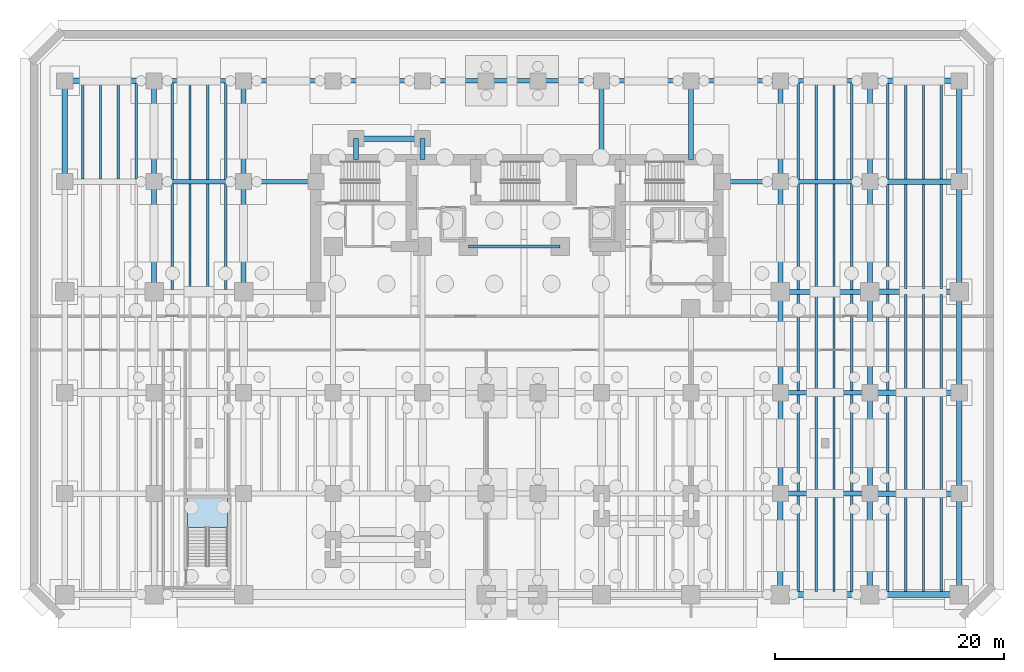
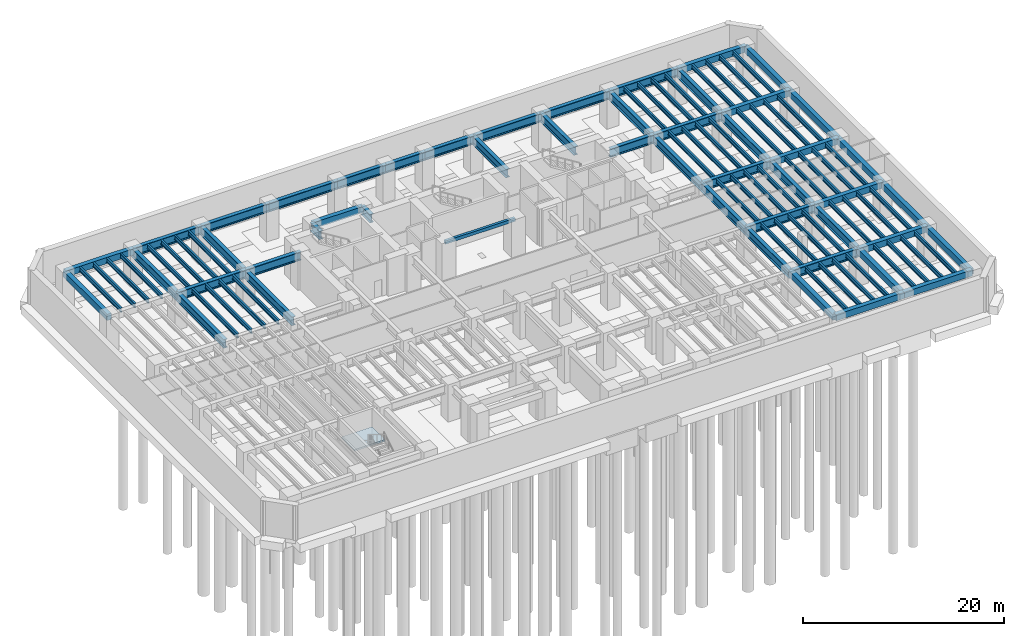
# One storey, part 5 of 13: 102 beams, 1 slab, 1 element without a shape of its own.
"""IFC4 building model written with IfcOpenShell, lengths in metres."""

from ifc_helpers import new_model, si_unit, direction, frame, origin, origin_2d, place, context, subcontext, project, spatial, polyline, rectangle, i_section, outline, extrude, material, layer, layer_set, material_profile, profile_set, type_object, element, aggregate, save


model = new_model("IFC4")

# Units and contexts
model_context = context("Model", 3, precision=1e-05, world=origin(), true_north=direction((0.0, 1.0)))
body_context = subcontext(model_context, "Body", "Model", "MODEL_VIEW")
ifc_project = project(units=[si_unit("LENGTHUNIT", "METRE"), si_unit("AREAUNIT", "SQUARE_METRE"), si_unit("VOLUMEUNIT", "CUBIC_METRE"), si_unit("PLANEANGLEUNIT", "RADIAN"), si_unit("MASSUNIT", "GRAM", prefix="KILO")], contexts=[model_context])

# Site, building, storey
site_placement = place(None, origin())
site = spatial("IfcSite", under=ifc_project, at=site_placement, CompositionType="ELEMENT")
building_placement = place(site_placement, origin())
building = spatial("IfcBuilding", under=site, at=building_placement, Name="Kestravale Grand Hotel", CompositionType="ELEMENT")
storey_placement = place(building_placement, frame((0.0, 0.0, -9.0)))
storey = spatial("IfcBuildingStorey", under=building, at=storey_placement, Name="B2", CompositionType="ELEMENT", Elevation=-9.0)

# Beams
ifc_material_1 = material(Name="Steel ASTM A992 Grade 50", Category="steel")
ifc_material_profile_1 = material_profile(ifc_material_1, i_section(OverallWidth=0.2099609375, OverallDepth=0.535888671875, WebThickness=0.010986328125, FlangeThickness=0.017333984375, FilletRadius=0.017578125, at=origin_2d()))
ifc_profile_set_1 = profile_set([ifc_material_profile_1], Name="Steel ASTM A992 Grade 50")
beam_type_1 = type_object("IfcBeamType", Name="B-FLR-JST21", PredefinedType="JOIST", material=ifc_profile_set_1)
for number, where, z_axis, x_axis, name in (
    (1, (1.56005859375, 38.64990234375, 3.912109375), (0.0, 1.0, 0.0), (-1.0, 0.0, 0.0), "B2 floor joist 1-2/F-G #1"),
    (2, (3.1201171875, 38.64990234375, 3.912109375), (0.0, 1.0, 0.0), (-1.0, 0.0, 0.0), "B2 floor joist 1-2/F-G #2"),
    (3, (4.679931640625, 38.64990234375, 3.912109375), (0.0, 1.0, 0.0), (-1.0, 0.0, 0.0), "B2 floor joist 1-2/F-G #3"),
    (4, (6.239990234375, 38.64990234375, 3.912109375), (0.0, 1.0, 0.0), (-1.0, 0.0, 0.0), "B2 floor joist 1-2/F-G #4"),
):
    element("IfcBeam", number, at=place(storey_placement, frame(where, z_axis=z_axis, x_axis=x_axis)), inside=storey, type_object=beam_type_1, Name=name, PredefinedType="JOIST", context=body_context, shape_type="SweptSolid", body=[
        extrude(i_section(OverallWidth=0.2099609375, OverallDepth=0.535888671875, WebThickness=0.010986328125, FlangeThickness=0.017333984375, FilletRadius=0.017578125, at=origin_2d()), origin(), (0.0, 0.0, 1.0), 8.300048828125),
    ])
for number, where, z_axis, x_axis, name in (
    (5, (9.360107421875, 29.013427734375, 3.912109375), (0.0, 1.0, 0.0), (-1.0, 0.0, 0.0), "B2 floor joist 2-3/E-F #1"),
    (6, (10.919921875, 29.013427734375, 3.912109375), (0.0, 1.0, 0.0), (-1.0, 0.0, 0.0), "B2 floor joist 2-3/E-F #2"),
    (7, (12.47998046875, 29.013427734375, 3.912109375), (0.0, 1.0, 0.0), (-1.0, 0.0, 0.0), "B2 floor joist 2-3/E-F #3"),
    (8, (14.0400390625, 29.013427734375, 3.912109375), (0.0, 1.0, 0.0), (-1.0, 0.0, 0.0), "B2 floor joist 2-3/E-F #4"),
):
    element("IfcBeam", number, at=place(storey_placement, frame(where, z_axis=z_axis, x_axis=x_axis)), inside=storey, type_object=beam_type_1, Name=name, PredefinedType="JOIST", context=body_context, shape_type="SweptSolid", body=[
        extrude(i_section(OverallWidth=0.2099609375, OverallDepth=0.535888671875, WebThickness=0.010986328125, FlangeThickness=0.017333984375, FilletRadius=0.017578125, at=origin_2d()), origin(), (0.0, 0.0, 1.0), 9.173095703125),
    ])
for number, where, z_axis, x_axis, name in (
    (9, (9.360107421875, 38.613525390625, 3.912109375), (0.0, 1.0, 0.0), (-1.0, 0.0, 0.0), "B2 floor joist 2-3/F-G #1"),
    (10, (10.919921875, 38.613525390625, 3.912109375), (0.0, 1.0, 0.0), (-1.0, 0.0, 0.0), "B2 floor joist 2-3/F-G #2"),
    (11, (12.47998046875, 38.613525390625, 3.912109375), (0.0, 1.0, 0.0), (-1.0, 0.0, 0.0), "B2 floor joist 2-3/F-G #3"),
    (12, (14.0400390625, 38.613525390625, 3.912109375), (0.0, 1.0, 0.0), (-1.0, 0.0, 0.0), "B2 floor joist 2-3/F-G #4"),
):
    element("IfcBeam", number, at=place(storey_placement, frame(where, z_axis=z_axis, x_axis=x_axis)), inside=storey, type_object=beam_type_1, Name=name, PredefinedType="JOIST", context=body_context, shape_type="SweptSolid", body=[
        extrude(i_section(OverallWidth=0.2099609375, OverallDepth=0.535888671875, WebThickness=0.010986328125, FlangeThickness=0.017333984375, FilletRadius=0.017578125, at=origin_2d()), origin(), (0.0, 0.0, 1.0), 8.373046875),
    ])
for number, where, z_axis, x_axis, name in (
    (13, (63.9599609375, 2.64990234375, 3.912109375), (0.0, 1.0, 0.0), (-1.0, 0.0, 0.0), "B2 floor joist 10-11/B-C #1"),
    (14, (65.52001953125, 2.64990234375, 3.912109375), (0.0, 1.0, 0.0), (-1.0, 0.0, 0.0), "B2 floor joist 10-11/B-C #2"),
    (15, (67.080078125, 2.64990234375, 3.912109375), (0.0, 1.0, 0.0), (-1.0, 0.0, 0.0), "B2 floor joist 10-11/B-C #3"),
    (16, (68.639892578125, 2.64990234375, 3.912109375), (0.0, 1.0, 0.0), (-1.0, 0.0, 0.0), "B2 floor joist 10-11/B-C #4"),
):
    element("IfcBeam", number, at=place(storey_placement, frame(where, z_axis=z_axis, x_axis=x_axis)), inside=storey, type_object=beam_type_1, Name=name, PredefinedType="JOIST", context=body_context, shape_type="SweptSolid", body=[
        extrude(i_section(OverallWidth=0.2099609375, OverallDepth=0.535888671875, WebThickness=0.010986328125, FlangeThickness=0.017333984375, FilletRadius=0.017578125, at=origin_2d()), origin(), (0.0, 0.0, 1.0), 8.336669921875),
    ])
for number, where, z_axis, x_axis, name in (
    (17, (63.9599609375, 11.41357421875, 3.912109375), (0.0, 1.0, 0.0), (-1.0, 0.0, 0.0), "B2 floor joist 10-11/C-D #1"),
    (18, (65.52001953125, 11.41357421875, 3.912109375), (0.0, 1.0, 0.0), (-1.0, 0.0, 0.0), "B2 floor joist 10-11/C-D #2"),
    (19, (67.080078125, 11.41357421875, 3.912109375), (0.0, 1.0, 0.0), (-1.0, 0.0, 0.0), "B2 floor joist 10-11/C-D #3"),
    (20, (68.639892578125, 11.41357421875, 3.912109375), (0.0, 1.0, 0.0), (-1.0, 0.0, 0.0), "B2 floor joist 10-11/C-D #4"),
    (21, (63.9599609375, 20.21337890625, 3.912109375), (0.0, 1.0, 0.0), (-1.0, 0.0, 0.0), "B2 floor joist 10-11/D-E #1"),
    (22, (65.52001953125, 20.21337890625, 3.912109375), (0.0, 1.0, 0.0), (-1.0, 0.0, 0.0), "B2 floor joist 10-11/D-E #2"),
    (23, (67.080078125, 20.21337890625, 3.912109375), (0.0, 1.0, 0.0), (-1.0, 0.0, 0.0), "B2 floor joist 10-11/D-E #3"),
    (24, (68.639892578125, 20.21337890625, 3.912109375), (0.0, 1.0, 0.0), (-1.0, 0.0, 0.0), "B2 floor joist 10-11/D-E #4"),
):
    element("IfcBeam", number, at=place(storey_placement, frame(where, z_axis=z_axis, x_axis=x_axis)), inside=storey, type_object=beam_type_1, Name=name, PredefinedType="JOIST", context=body_context, shape_type="SweptSolid", body=[
        extrude(i_section(OverallWidth=0.2099609375, OverallDepth=0.535888671875, WebThickness=0.010986328125, FlangeThickness=0.017333984375, FilletRadius=0.017578125, at=origin_2d()), origin(), (0.0, 0.0, 1.0), 8.373046875),
    ])
for number, where, z_axis, x_axis, name in (
    (25, (63.9599609375, 29.013427734375, 3.912109375), (0.0, 1.0, 0.0), (-1.0, 0.0, 0.0), "B2 floor joist 10-11/E-F #1"),
    (26, (65.52001953125, 29.013427734375, 3.912109375), (0.0, 1.0, 0.0), (-1.0, 0.0, 0.0), "B2 floor joist 10-11/E-F #2"),
    (27, (67.080078125, 29.013427734375, 3.912109375), (0.0, 1.0, 0.0), (-1.0, 0.0, 0.0), "B2 floor joist 10-11/E-F #3"),
    (28, (68.639892578125, 29.013427734375, 3.912109375), (0.0, 1.0, 0.0), (-1.0, 0.0, 0.0), "B2 floor joist 10-11/E-F #4"),
):
    element("IfcBeam", number, at=place(storey_placement, frame(where, z_axis=z_axis, x_axis=x_axis)), inside=storey, type_object=beam_type_1, Name=name, PredefinedType="JOIST", context=body_context, shape_type="SweptSolid", body=[
        extrude(i_section(OverallWidth=0.2099609375, OverallDepth=0.535888671875, WebThickness=0.010986328125, FlangeThickness=0.017333984375, FilletRadius=0.017578125, at=origin_2d()), origin(), (0.0, 0.0, 1.0), 9.173095703125),
    ])
for number, where, z_axis, x_axis, name in (
    (29, (63.9599609375, 38.613525390625, 3.912109375), (0.0, 1.0, 0.0), (-1.0, 0.0, 0.0), "B2 floor joist 10-11/F-G #1"),
    (30, (65.52001953125, 38.613525390625, 3.912109375), (0.0, 1.0, 0.0), (-1.0, 0.0, 0.0), "B2 floor joist 10-11/F-G #2"),
    (31, (67.080078125, 38.613525390625, 3.912109375), (0.0, 1.0, 0.0), (-1.0, 0.0, 0.0), "B2 floor joist 10-11/F-G #3"),
    (32, (68.639892578125, 38.613525390625, 3.912109375), (0.0, 1.0, 0.0), (-1.0, 0.0, 0.0), "B2 floor joist 10-11/F-G #4"),
):
    element("IfcBeam", number, at=place(storey_placement, frame(where, z_axis=z_axis, x_axis=x_axis)), inside=storey, type_object=beam_type_1, Name=name, PredefinedType="JOIST", context=body_context, shape_type="SweptSolid", body=[
        extrude(i_section(OverallWidth=0.2099609375, OverallDepth=0.535888671875, WebThickness=0.010986328125, FlangeThickness=0.017333984375, FilletRadius=0.017578125, at=origin_2d()), origin(), (0.0, 0.0, 1.0), 8.373046875),
    ])
for number, where, z_axis, x_axis, name in (
    (33, (71.760009765625, 2.64990234375, 3.912109375), (0.0, 1.0, 0.0), (-1.0, 0.0, 0.0), "B2 floor joist 11-12/B-C #1"),
    (34, (73.320068359375, 2.64990234375, 3.912109375), (0.0, 1.0, 0.0), (-1.0, 0.0, 0.0), "B2 floor joist 11-12/B-C #2"),
    (35, (74.8798828125, 2.64990234375, 3.912109375), (0.0, 1.0, 0.0), (-1.0, 0.0, 0.0), "B2 floor joist 11-12/B-C #3"),
    (36, (76.43994140625, 2.64990234375, 3.912109375), (0.0, 1.0, 0.0), (-1.0, 0.0, 0.0), "B2 floor joist 11-12/B-C #4"),
    (37, (71.760009765625, 11.449951171875, 3.912109375), (0.0, 1.0, 0.0), (-1.0, 0.0, 0.0), "B2 floor joist 11-12/C-D #1"),
    (38, (73.320068359375, 11.449951171875, 3.912109375), (0.0, 1.0, 0.0), (-1.0, 0.0, 0.0), "B2 floor joist 11-12/C-D #2"),
    (39, (74.8798828125, 11.449951171875, 3.912109375), (0.0, 1.0, 0.0), (-1.0, 0.0, 0.0), "B2 floor joist 11-12/C-D #3"),
    (40, (76.43994140625, 11.449951171875, 3.912109375), (0.0, 1.0, 0.0), (-1.0, 0.0, 0.0), "B2 floor joist 11-12/C-D #4"),
    (41, (71.760009765625, 20.25, 3.912109375), (0.0, 1.0, 0.0), (-1.0, 0.0, 0.0), "B2 floor joist 11-12/D-E #1"),
    (42, (73.320068359375, 20.25, 3.912109375), (0.0, 1.0, 0.0), (-1.0, 0.0, 0.0), "B2 floor joist 11-12/D-E #2"),
    (43, (74.8798828125, 20.25, 3.912109375), (0.0, 1.0, 0.0), (-1.0, 0.0, 0.0), "B2 floor joist 11-12/D-E #3"),
    (44, (76.43994140625, 20.25, 3.912109375), (0.0, 1.0, 0.0), (-1.0, 0.0, 0.0), "B2 floor joist 11-12/D-E #4"),
):
    element("IfcBeam", number, at=place(storey_placement, frame(where, z_axis=z_axis, x_axis=x_axis)), inside=storey, type_object=beam_type_1, Name=name, PredefinedType="JOIST", context=body_context, shape_type="SweptSolid", body=[
        extrude(i_section(OverallWidth=0.2099609375, OverallDepth=0.535888671875, WebThickness=0.010986328125, FlangeThickness=0.017333984375, FilletRadius=0.017578125, at=origin_2d()), origin(), (0.0, 0.0, 1.0), 8.300048828125),
    ])
for number, where, z_axis, x_axis, name in (
    (45, (71.760009765625, 29.050048828125, 3.912109375), (0.0, 1.0, 0.0), (-1.0, 0.0, 0.0), "B2 floor joist 11-12/E-F #1"),
    (46, (73.320068359375, 29.050048828125, 3.912109375), (0.0, 1.0, 0.0), (-1.0, 0.0, 0.0), "B2 floor joist 11-12/E-F #2"),
    (47, (74.8798828125, 29.050048828125, 3.912109375), (0.0, 1.0, 0.0), (-1.0, 0.0, 0.0), "B2 floor joist 11-12/E-F #3"),
    (48, (76.43994140625, 29.050048828125, 3.912109375), (0.0, 1.0, 0.0), (-1.0, 0.0, 0.0), "B2 floor joist 11-12/E-F #4"),
):
    element("IfcBeam", number, at=place(storey_placement, frame(where, z_axis=z_axis, x_axis=x_axis)), inside=storey, type_object=beam_type_1, Name=name, PredefinedType="JOIST", context=body_context, shape_type="SweptSolid", body=[
        extrude(i_section(OverallWidth=0.2099609375, OverallDepth=0.535888671875, WebThickness=0.010986328125, FlangeThickness=0.017333984375, FilletRadius=0.017578125, at=origin_2d()), origin(), (0.0, 0.0, 1.0), 9.099853515625),
    ])
for number, where, z_axis, x_axis, name in (
    (49, (71.760009765625, 38.64990234375, 3.912109375), (0.0, 1.0, 0.0), (-1.0, 0.0, 0.0), "B2 floor joist 11-12/F-G #1"),
    (50, (73.320068359375, 38.64990234375, 3.912109375), (0.0, 1.0, 0.0), (-1.0, 0.0, 0.0), "B2 floor joist 11-12/F-G #2"),
    (51, (74.8798828125, 38.64990234375, 3.912109375), (0.0, 1.0, 0.0), (-1.0, 0.0, 0.0), "B2 floor joist 11-12/F-G #3"),
    (52, (76.43994140625, 38.64990234375, 3.912109375), (0.0, 1.0, 0.0), (-1.0, 0.0, 0.0), "B2 floor joist 11-12/F-G #4"),
):
    element("IfcBeam", number, at=place(storey_placement, frame(where, z_axis=z_axis, x_axis=x_axis)), inside=storey, type_object=beam_type_1, Name=name, PredefinedType="JOIST", context=body_context, shape_type="SweptSolid", body=[
        extrude(i_section(OverallWidth=0.2099609375, OverallDepth=0.535888671875, WebThickness=0.010986328125, FlangeThickness=0.017333984375, FilletRadius=0.017578125, at=origin_2d()), origin(), (0.0, 0.0, 1.0), 8.300048828125),
    ])
ifc_material_2 = material(Name="Concrete f'c 45 MPa", Category="concrete")
ifc_material_profile_2 = material_profile(ifc_material_2, rectangle(XDim=0.300048828125, YDim=0.39990234375, at=origin_2d()))
ifc_profile_set_2 = profile_set([ifc_material_profile_2], Name="Concrete f'c 45 MPa")
beam_type_2 = type_object("IfcBeamType", Name="B-FLR-LNT400", PredefinedType="LINTEL", material=ifc_profile_set_2)
beam_1_placement = place(storey_placement, frame((35.199951171875, 32.75, 3.97998046875), z_axis=(1.0, 0.0, 0.0), x_axis=(0.0, 1.0, 0.0)))
element("IfcBeam", 53, at=beam_1_placement, inside=storey, type_object=beam_type_2, Name="B2 core portal header lintel", PredefinedType="LINTEL", context=body_context, shape_type="SweptSolid", body=[
    extrude(rectangle(XDim=0.300048828125, YDim=0.39990234375, at=origin_2d()), origin(), (0.0, 0.0, 1.0), 8.0),
])
ifc_material_3 = material(Name="Concrete f'c 45 MPa", Category="concrete")
ifc_material_profile_3 = material_profile(ifc_material_3, rectangle(XDim=0.5, YDim=0.75, at=origin_2d()))
ifc_profile_set_3 = profile_set([ifc_material_profile_3], Name="Concrete f'c 45 MPa")
beam_type_3 = type_object("IfcBeamType", Name="B-FLR-RC750", PredefinedType="SPANDREL", material=ifc_profile_set_3)
for number, where, z_axis, x_axis, name in (
    (54, (62.39990234375, 2.39990234375, 3.804931640625), (1.0, 0.0, 0.0), (0.0, 1.0, 0.0), "B2 spandrel B:10-11"),
    (55, (70.199951171875, 2.39990234375, 3.804931640625), (1.0, 0.0, 0.0), (0.0, 1.0, 0.0), "B2 spandrel B:11-12"),
    (56, (70.199951171875, 11.199951171875, 3.804931640625), (1.0, 0.0, 0.0), (0.0, 1.0, 0.0), "B2 spandrel C:11-12"),
    (57, (70.199951171875, 20.0, 3.804931640625), (1.0, 0.0, 0.0), (0.0, 1.0, 0.0), "B2 spandrel D:11-12"),
    (58, (70.199951171875, 28.800048828125, 3.804931640625), (1.0, 0.0, 0.0), (0.0, 1.0, 0.0), "B2 spandrel E:11-12"),
    (59, (70.199951171875, 38.39990234375, 3.804931640625), (1.0, 0.0, 0.0), (0.0, 1.0, 0.0), "B2 spandrel F:11-12"),
    (60, (0.0, 47.199951171875, 3.804931640625), (1.0, 0.0, 0.0), (0.0, 1.0, 0.0), "B2 spandrel G:1-2"),
    (61, (70.199951171875, 47.199951171875, 3.804931640625), (1.0, 0.0, 0.0), (0.0, 1.0, 0.0), "B2 spandrel G:11-12"),
):
    element("IfcBeam", number, at=place(storey_placement, frame(where, z_axis=z_axis, x_axis=x_axis)), inside=storey, type_object=beam_type_3, Name=name, PredefinedType="SPANDREL", context=body_context, shape_type="SweptSolid", body=[
        extrude(rectangle(XDim=0.5, YDim=0.75, at=origin_2d()), origin(), (0.0, 0.0, 1.0), 7.800048828125),
    ])
beam_2_placement = place(storey_placement, frame((25.39990234375, 42.14990234375, 3.804931640625), z_axis=(1.0, 0.0, 0.0), x_axis=(0.0, 1.0, 0.0)))
element("IfcBeam", 62, at=beam_2_placement, inside=storey, type_object=beam_type_3, Name="B2 perimeter tie spandrel FN:4-5", PredefinedType="SPANDREL", context=body_context, shape_type="SweptSolid", body=[
    extrude(rectangle(XDim=0.5, YDim=0.75, at=origin_2d()), origin(), (0.0, 0.0, 1.0), 5.800048828125),
])
for number, where, z_axis, x_axis, name in (
    (63, (0.0, 38.39990234375, 3.804931640625), (0.0, 1.0, 0.0), (-1.0, 0.0, 0.0), "B2 spandrel 1:F-G"),
    (64, (62.39990234375, 2.39990234375, 3.804931640625), (0.0, 1.0, 0.0), (-1.0, 0.0, 0.0), "B2 spandrel 10:B-C"),
    (65, (70.199951171875, 2.39990234375, 3.804931640625), (0.0, 1.0, 0.0), (-1.0, 0.0, 0.0), "B2 spandrel 11:B-C"),
    (66, (78.0, 2.39990234375, 3.804931640625), (0.0, 1.0, 0.0), (-1.0, 0.0, 0.0), "B2 spandrel 12:B-C"),
    (67, (78.0, 11.199951171875, 3.804931640625), (0.0, 1.0, 0.0), (-1.0, 0.0, 0.0), "B2 spandrel 12:C-D"),
    (68, (78.0, 20.0, 3.804931640625), (0.0, 1.0, 0.0), (-1.0, 0.0, 0.0), "B2 spandrel 12:D-E"),
):
    element("IfcBeam", number, at=place(storey_placement, frame(where, z_axis=z_axis, x_axis=x_axis)), inside=storey, type_object=beam_type_3, Name=name, PredefinedType="SPANDREL", context=body_context, shape_type="SweptSolid", body=[
        extrude(rectangle(XDim=0.5, YDim=0.75, at=origin_2d()), origin(), (0.0, 0.0, 1.0), 8.800048828125),
    ])
beam_3_placement = place(storey_placement, frame((78.0, 28.800048828125, 3.804931640625), z_axis=(0.0, 1.0, 0.0), x_axis=(-1.0, 0.0, 0.0)))
element("IfcBeam", 69, at=beam_3_placement, inside=storey, type_object=beam_type_3, Name="B2 spandrel 12:E-F", PredefinedType="SPANDREL", context=body_context, shape_type="SweptSolid", body=[
    extrude(rectangle(XDim=0.5, YDim=0.75, at=origin_2d()), origin(), (0.0, 0.0, 1.0), 9.599853515625),
])
beam_4_placement = place(storey_placement, frame((78.0, 38.39990234375, 3.804931640625), z_axis=(0.0, 1.0, 0.0), x_axis=(-1.0, 0.0, 0.0)))
element("IfcBeam", 70, at=beam_4_placement, inside=storey, type_object=beam_type_3, Name="B2 spandrel 12:F-G", PredefinedType="SPANDREL", context=body_context, shape_type="SweptSolid", body=[
    extrude(rectangle(XDim=0.5, YDim=0.75, at=origin_2d()), origin(), (0.0, 0.0, 1.0), 8.800048828125),
])
ifc_material_4 = material(Name="Steel ASTM A992 Grade 50", Category="steel")
ifc_material_profile_4 = material_profile(ifc_material_4, i_section(OverallWidth=0.427001953125, OverallDepth=1.0400390625, WebThickness=0.031005859375, FlangeThickness=0.055908203125, FilletRadius=0.028076171875, at=origin_2d()))
ifc_profile_set_4 = profile_set([ifc_material_profile_4], Name="Steel ASTM A992 Grade 50")
beam_type_4 = type_object("IfcBeamType", Name="B-GRD-W40", PredefinedType="BEAM", material=ifc_profile_set_4)
for number, where, z_axis, x_axis, name in (
    (71, (62.39990234375, 11.199951171875, 3.659912109375), (1.0, 0.0, 0.0), (0.0, 1.0, 0.0), "B2 girder C:10-11"),
    (72, (62.39990234375, 20.0, 3.659912109375), (1.0, 0.0, 0.0), (0.0, 1.0, 0.0), "B2 girder D:10-11"),
    (73, (62.39990234375, 28.800048828125, 3.659912109375), (1.0, 0.0, 0.0), (0.0, 1.0, 0.0), "B2 girder E:10-11"),
    (74, (7.800048828125, 38.39990234375, 3.659912109375), (1.0, 0.0, 0.0), (0.0, 1.0, 0.0), "B2 girder F:2-3"),
):
    element("IfcBeam", number, at=place(storey_placement, frame(where, z_axis=z_axis, x_axis=x_axis)), inside=storey, type_object=beam_type_4, Name=name, PredefinedType="BEAM", context=body_context, shape_type="SweptSolid", body=[
        extrude(i_section(OverallWidth=0.427001953125, OverallDepth=1.0400390625, WebThickness=0.031005859375, FlangeThickness=0.055908203125, FilletRadius=0.028076171875, at=origin_2d()), origin(), (0.0, 0.0, 1.0), 7.800048828125),
    ])
beam_5_placement = place(storey_placement, frame((15.60009765625, 38.39990234375, 3.659912109375), z_axis=(1.0, 0.0, 0.0), x_axis=(0.0, 1.0, 0.0)))
element("IfcBeam", 75, at=beam_5_placement, inside=storey, type_object=beam_type_4, Name="B2 girder F:3-CW", PredefinedType="BEAM", context=body_context, shape_type="SweptSolid", body=[
    extrude(i_section(OverallWidth=0.427001953125, OverallDepth=1.0400390625, WebThickness=0.031005859375, FlangeThickness=0.055908203125, FilletRadius=0.028076171875, at=origin_2d()), origin(), (0.0, 0.0, 1.0), 6.2998046875),
])
beam_6_placement = place(storey_placement, frame((57.35009765625, 38.39990234375, 3.659912109375), z_axis=(1.0, 0.0, 0.0), x_axis=(0.0, 1.0, 0.0)))
element("IfcBeam", 76, at=beam_6_placement, inside=storey, type_object=beam_type_4, Name="B2 girder F:CE-10", PredefinedType="BEAM", context=body_context, shape_type="SweptSolid", body=[
    extrude(i_section(OverallWidth=0.427001953125, OverallDepth=1.0400390625, WebThickness=0.031005859375, FlangeThickness=0.055908203125, FilletRadius=0.028076171875, at=origin_2d()), origin(), (0.0, 0.0, 1.0), 5.0498046875),
])
for number, where, z_axis, x_axis, name in (
    (77, (62.39990234375, 38.39990234375, 3.659912109375), (1.0, 0.0, 0.0), (0.0, 1.0, 0.0), "B2 girder F:10-11"),
    (78, (7.800048828125, 47.199951171875, 3.659912109375), (1.0, 0.0, 0.0), (0.0, 1.0, 0.0), "B2 girder G:2-3"),
):
    element("IfcBeam", number, at=place(storey_placement, frame(where, z_axis=z_axis, x_axis=x_axis)), inside=storey, type_object=beam_type_4, Name=name, PredefinedType="BEAM", context=body_context, shape_type="SweptSolid", body=[
        extrude(i_section(OverallWidth=0.427001953125, OverallDepth=1.0400390625, WebThickness=0.031005859375, FlangeThickness=0.055908203125, FilletRadius=0.028076171875, at=origin_2d()), origin(), (0.0, 0.0, 1.0), 7.800048828125),
    ])
beam_7_placement = place(storey_placement, frame((15.60009765625, 47.199951171875, 3.659912109375), z_axis=(1.0, 0.0, 0.0), x_axis=(0.0, 1.0, 0.0)))
element("IfcBeam", 79, at=beam_7_placement, inside=storey, type_object=beam_type_4, Name="B2 girder G:3-4", PredefinedType="BEAM", context=body_context, shape_type="SweptSolid", body=[
    extrude(i_section(OverallWidth=0.427001953125, OverallDepth=1.0400390625, WebThickness=0.031005859375, FlangeThickness=0.055908203125, FilletRadius=0.028076171875, at=origin_2d()), origin(), (0.0, 0.0, 1.0), 7.7998046875),
])
beam_8_placement = place(storey_placement, frame((23.39990234375, 47.199951171875, 3.659912109375), z_axis=(1.0, 0.0, 0.0), x_axis=(0.0, 1.0, 0.0)))
element("IfcBeam", 80, at=beam_8_placement, inside=storey, type_object=beam_type_4, Name="B2 girder G:4-5", PredefinedType="BEAM", context=body_context, shape_type="SweptSolid", body=[
    extrude(i_section(OverallWidth=0.427001953125, OverallDepth=1.0400390625, WebThickness=0.031005859375, FlangeThickness=0.055908203125, FilletRadius=0.028076171875, at=origin_2d()), origin(), (0.0, 0.0, 1.0), 7.800048828125),
])
beam_9_placement = place(storey_placement, frame((31.199951171875, 47.199951171875, 3.659912109375), z_axis=(1.0, 0.0, 0.0), x_axis=(0.0, 1.0, 0.0)))
element("IfcBeam", 81, at=beam_9_placement, inside=storey, type_object=beam_type_4, Name="B2 girder G:5-6", PredefinedType="BEAM", context=body_context, shape_type="SweptSolid", body=[
    extrude(i_section(OverallWidth=0.427001953125, OverallDepth=1.0400390625, WebThickness=0.031005859375, FlangeThickness=0.055908203125, FilletRadius=0.028076171875, at=origin_2d()), origin(), (0.0, 0.0, 1.0), 5.550048828125),
])
beam_10_placement = place(storey_placement, frame((36.75, 47.199951171875, 3.659912109375), z_axis=(1.0, 0.0, 0.0), x_axis=(0.0, 1.0, 0.0)))
element("IfcBeam", 82, at=beam_10_placement, inside=storey, type_object=beam_type_4, Name="B2 girder G:6-7", PredefinedType="BEAM", context=body_context, shape_type="SweptSolid", body=[
    extrude(i_section(OverallWidth=0.427001953125, OverallDepth=1.0400390625, WebThickness=0.031005859375, FlangeThickness=0.055908203125, FilletRadius=0.028076171875, at=origin_2d()), origin(), (0.0, 0.0, 1.0), 4.5),
])
beam_11_placement = place(storey_placement, frame((41.25, 47.199951171875, 3.659912109375), z_axis=(1.0, 0.0, 0.0), x_axis=(0.0, 1.0, 0.0)))
element("IfcBeam", 83, at=beam_11_placement, inside=storey, type_object=beam_type_4, Name="B2 girder G:7-8", PredefinedType="BEAM", context=body_context, shape_type="SweptSolid", body=[
    extrude(i_section(OverallWidth=0.427001953125, OverallDepth=1.0400390625, WebThickness=0.031005859375, FlangeThickness=0.055908203125, FilletRadius=0.028076171875, at=origin_2d()), origin(), (0.0, 0.0, 1.0), 5.550048828125),
])
beam_12_placement = place(storey_placement, frame((46.800048828125, 47.199951171875, 3.659912109375), z_axis=(1.0, 0.0, 0.0), x_axis=(0.0, 1.0, 0.0)))
element("IfcBeam", 84, at=beam_12_placement, inside=storey, type_object=beam_type_4, Name="B2 girder G:8-9", PredefinedType="BEAM", context=body_context, shape_type="SweptSolid", body=[
    extrude(i_section(OverallWidth=0.427001953125, OverallDepth=1.0400390625, WebThickness=0.031005859375, FlangeThickness=0.055908203125, FilletRadius=0.028076171875, at=origin_2d()), origin(), (0.0, 0.0, 1.0), 7.800048828125),
])
beam_13_placement = place(storey_placement, frame((54.60009765625, 47.199951171875, 3.659912109375), z_axis=(1.0, 0.0, 0.0), x_axis=(0.0, 1.0, 0.0)))
element("IfcBeam", 85, at=beam_13_placement, inside=storey, type_object=beam_type_4, Name="B2 girder G:9-10", PredefinedType="BEAM", context=body_context, shape_type="SweptSolid", body=[
    extrude(i_section(OverallWidth=0.427001953125, OverallDepth=1.0400390625, WebThickness=0.031005859375, FlangeThickness=0.055908203125, FilletRadius=0.028076171875, at=origin_2d()), origin(), (0.0, 0.0, 1.0), 7.7998046875),
])
beam_14_placement = place(storey_placement, frame((62.39990234375, 47.199951171875, 3.659912109375), z_axis=(1.0, 0.0, 0.0), x_axis=(0.0, 1.0, 0.0)))
element("IfcBeam", 86, at=beam_14_placement, inside=storey, type_object=beam_type_4, Name="B2 girder G:10-11", PredefinedType="BEAM", context=body_context, shape_type="SweptSolid", body=[
    extrude(i_section(OverallWidth=0.427001953125, OverallDepth=1.0400390625, WebThickness=0.031005859375, FlangeThickness=0.055908203125, FilletRadius=0.028076171875, at=origin_2d()), origin(), (0.0, 0.0, 1.0), 7.800048828125),
])
beam_15_placement = place(storey_placement, frame((7.800048828125, 28.800048828125, 3.659912109375), z_axis=(0.0, 1.0, 0.0), x_axis=(-1.0, 0.0, 0.0)))
element("IfcBeam", 87, at=beam_15_placement, inside=storey, type_object=beam_type_4, Name="B2 girder 2:E-F", PredefinedType="BEAM", context=body_context, shape_type="SweptSolid", body=[
    extrude(i_section(OverallWidth=0.427001953125, OverallDepth=1.0400390625, WebThickness=0.031005859375, FlangeThickness=0.055908203125, FilletRadius=0.028076171875, at=origin_2d()), origin(), (0.0, 0.0, 1.0), 9.599853515625),
])
beam_16_placement = place(storey_placement, frame((7.800048828125, 38.39990234375, 3.659912109375), z_axis=(0.0, 1.0, 0.0), x_axis=(-1.0, 0.0, 0.0)))
element("IfcBeam", 88, at=beam_16_placement, inside=storey, type_object=beam_type_4, Name="B2 girder 2:F-G", PredefinedType="BEAM", context=body_context, shape_type="SweptSolid", body=[
    extrude(i_section(OverallWidth=0.427001953125, OverallDepth=1.0400390625, WebThickness=0.031005859375, FlangeThickness=0.055908203125, FilletRadius=0.028076171875, at=origin_2d()), origin(), (0.0, 0.0, 1.0), 8.800048828125),
])
beam_17_placement = place(storey_placement, frame((15.60009765625, 28.800048828125, 3.659912109375), z_axis=(0.0, 1.0, 0.0), x_axis=(-1.0, 0.0, 0.0)))
element("IfcBeam", 89, at=beam_17_placement, inside=storey, type_object=beam_type_4, Name="B2 girder 3:E-F", PredefinedType="BEAM", context=body_context, shape_type="SweptSolid", body=[
    extrude(i_section(OverallWidth=0.427001953125, OverallDepth=1.0400390625, WebThickness=0.031005859375, FlangeThickness=0.055908203125, FilletRadius=0.028076171875, at=origin_2d()), origin(), (0.0, 0.0, 1.0), 9.599853515625),
])
for number, where, z_axis, x_axis, name in (
    (90, (15.60009765625, 38.39990234375, 3.659912109375), (0.0, 1.0, 0.0), (-1.0, 0.0, 0.0), "B2 girder 3:F-G"),
    (91, (62.39990234375, 11.199951171875, 3.659912109375), (0.0, 1.0, 0.0), (-1.0, 0.0, 0.0), "B2 girder 10:C-D"),
    (92, (62.39990234375, 20.0, 3.659912109375), (0.0, 1.0, 0.0), (-1.0, 0.0, 0.0), "B2 girder 10:D-E"),
):
    element("IfcBeam", number, at=place(storey_placement, frame(where, z_axis=z_axis, x_axis=x_axis)), inside=storey, type_object=beam_type_4, Name=name, PredefinedType="BEAM", context=body_context, shape_type="SweptSolid", body=[
        extrude(i_section(OverallWidth=0.427001953125, OverallDepth=1.0400390625, WebThickness=0.031005859375, FlangeThickness=0.055908203125, FilletRadius=0.028076171875, at=origin_2d()), origin(), (0.0, 0.0, 1.0), 8.800048828125),
    ])
beam_18_placement = place(storey_placement, frame((62.39990234375, 28.800048828125, 3.659912109375), z_axis=(0.0, 1.0, 0.0), x_axis=(-1.0, 0.0, 0.0)))
element("IfcBeam", 93, at=beam_18_placement, inside=storey, type_object=beam_type_4, Name="B2 girder 10:E-F", PredefinedType="BEAM", context=body_context, shape_type="SweptSolid", body=[
    extrude(i_section(OverallWidth=0.427001953125, OverallDepth=1.0400390625, WebThickness=0.031005859375, FlangeThickness=0.055908203125, FilletRadius=0.028076171875, at=origin_2d()), origin(), (0.0, 0.0, 1.0), 9.599853515625),
])
for number, where, z_axis, x_axis, name in (
    (94, (62.39990234375, 38.39990234375, 3.659912109375), (0.0, 1.0, 0.0), (-1.0, 0.0, 0.0), "B2 girder 10:F-G"),
    (95, (70.199951171875, 11.199951171875, 3.659912109375), (0.0, 1.0, 0.0), (-1.0, 0.0, 0.0), "B2 girder 11:C-D"),
    (96, (70.199951171875, 20.0, 3.659912109375), (0.0, 1.0, 0.0), (-1.0, 0.0, 0.0), "B2 girder 11:D-E"),
):
    element("IfcBeam", number, at=place(storey_placement, frame(where, z_axis=z_axis, x_axis=x_axis)), inside=storey, type_object=beam_type_4, Name=name, PredefinedType="BEAM", context=body_context, shape_type="SweptSolid", body=[
        extrude(i_section(OverallWidth=0.427001953125, OverallDepth=1.0400390625, WebThickness=0.031005859375, FlangeThickness=0.055908203125, FilletRadius=0.028076171875, at=origin_2d()), origin(), (0.0, 0.0, 1.0), 8.800048828125),
    ])
beam_19_placement = place(storey_placement, frame((70.199951171875, 28.800048828125, 3.659912109375), z_axis=(0.0, 1.0, 0.0), x_axis=(-1.0, 0.0, 0.0)))
element("IfcBeam", 97, at=beam_19_placement, inside=storey, type_object=beam_type_4, Name="B2 girder 11:E-F", PredefinedType="BEAM", context=body_context, shape_type="SweptSolid", body=[
    extrude(i_section(OverallWidth=0.427001953125, OverallDepth=1.0400390625, WebThickness=0.031005859375, FlangeThickness=0.055908203125, FilletRadius=0.028076171875, at=origin_2d()), origin(), (0.0, 0.0, 1.0), 9.599853515625),
])
beam_20_placement = place(storey_placement, frame((70.199951171875, 38.39990234375, 3.659912109375), z_axis=(0.0, 1.0, 0.0), x_axis=(-1.0, 0.0, 0.0)))
element("IfcBeam", 98, at=beam_20_placement, inside=storey, type_object=beam_type_4, Name="B2 girder 11:F-G", PredefinedType="BEAM", context=body_context, shape_type="SweptSolid", body=[
    extrude(i_section(OverallWidth=0.427001953125, OverallDepth=1.0400390625, WebThickness=0.031005859375, FlangeThickness=0.055908203125, FilletRadius=0.028076171875, at=origin_2d()), origin(), (0.0, 0.0, 1.0), 8.800048828125),
])
for number, where, z_axis, x_axis, name in (
    (99, (25.39990234375, 40.320068359375, 3.659912109375), (0.0, 1.0, 0.0), (-1.0, 0.0, 0.0), "B2 north wing tie girder 4:CN-FN"),
    (100, (31.199951171875, 40.320068359375, 3.659912109375), (0.0, 1.0, 0.0), (-1.0, 0.0, 0.0), "B2 north wing tie girder 5:CN-FN"),
):
    element("IfcBeam", number, at=place(storey_placement, frame(where, z_axis=z_axis, x_axis=x_axis)), inside=storey, type_object=beam_type_4, Name=name, PredefinedType="BEAM", context=body_context, shape_type="SweptSolid", body=[
        extrude(i_section(OverallWidth=0.427001953125, OverallDepth=1.0400390625, WebThickness=0.031005859375, FlangeThickness=0.055908203125, FilletRadius=0.028076171875, at=origin_2d()), origin(), (0.0, 0.0, 1.0), 1.829833984375),
    ])
for number, where, z_axis, x_axis, name in (
    (101, (46.800048828125, 40.320068359375, 3.659912109375), (0.0, 1.0, 0.0), (-1.0, 0.0, 0.0), "B2 north wing tie girder 8:CN-G"),
    (102, (54.60009765625, 40.320068359375, 3.659912109375), (0.0, 1.0, 0.0), (-1.0, 0.0, 0.0), "B2 north wing tie girder 9:CN-G"),
):
    element("IfcBeam", number, at=place(storey_placement, frame(where, z_axis=z_axis, x_axis=x_axis)), inside=storey, type_object=beam_type_4, Name=name, PredefinedType="BEAM", context=body_context, shape_type="SweptSolid", body=[
        extrude(i_section(OverallWidth=0.427001953125, OverallDepth=1.0400390625, WebThickness=0.031005859375, FlangeThickness=0.055908203125, FilletRadius=0.028076171875, at=origin_2d()), origin(), (0.0, 0.0, 1.0), 6.8798828125),
    ])

# Stair, slab
ifc_material_5 = material(Name="Concrete f'c 45 MPa", Category="concrete")
stair_type = type_object("IfcStairType", Name="ST-CORE-450", PredefinedType="HALF_TURN_STAIR", material=ifc_material_5)
stair_placement = place(storey_placement, origin())
stair = element("IfcStair", 103, at=stair_placement, inside=storey, type_object=stair_type, Name="B2 ST-4", PredefinedType="HALF_TURN_STAIR")
ifc_material_6 = material(Name="Concrete f'c 45 MPa", Category="concrete")
ifc_layer = layer(ifc_material_6, 0.199951171875)
ifc_layer_set = layer_set([ifc_layer], Name="SLB-ST-LND200")
slab_type = type_object("IfcSlabType", Name="SLB-ST-LND200", PredefinedType="LANDING", material=ifc_layer_set)
slab_placement = place(storey_placement, frame((0.0, 0.0, 2.050048828125)))
slab = element("IfcSlab", 104, at=slab_placement, type_object=slab_type, Name="ST-4 landing 1", PredefinedType="LANDING", context=body_context, shape_type="SweptSolid", body=[
    extrude(outline(polyline([(14.199951171875, 8.239990234375), (14.199951171875, 10.800048828125), (10.68994140625, 10.800048828125), (10.68994140625, 8.239990234375), (14.199951171875, 8.239990234375)])), origin(), (0.0, 0.0, 1.0), 0.199951171875),
])
aggregate(stair, [slab])

save(model, "model.ifc")
